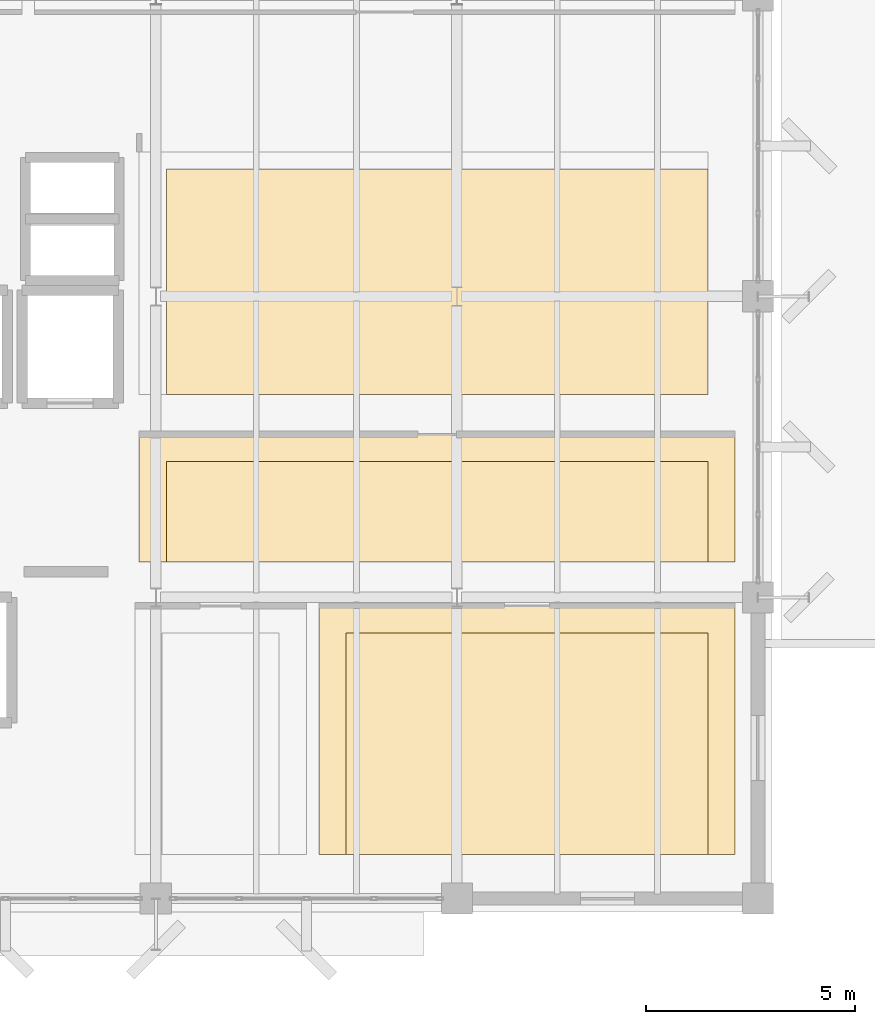
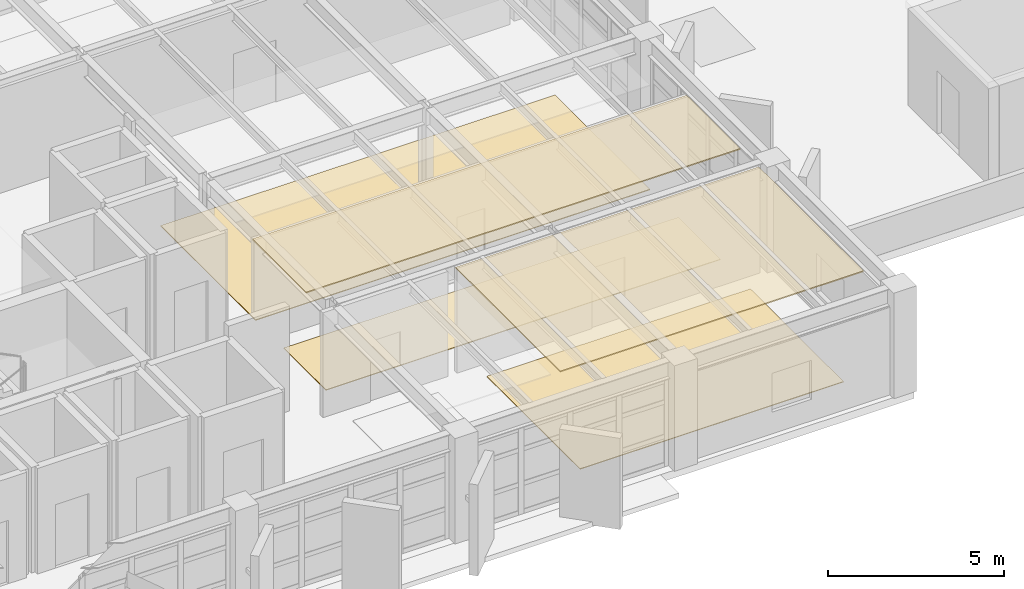
# One storey, part 30 of 32: 5 coverings.
"""IFC4 building model written with IfcOpenShell, lengths in metres."""

from ifc_helpers import new_model, si_unit, direction, frame, origin, place, context, subcontext, project, spatial, polyline, outline, extrude, material, layer, layer_set, type_object, element, save


model = new_model("IFC4")

# Units and contexts
model_context = context("Model", 3, precision=1e-05, world=origin(), true_north=direction((0.0, 1.0)))
body_context = subcontext(model_context, "Body", "Model", "MODEL_VIEW")
ifc_project = project(units=[si_unit("LENGTHUNIT", "METRE"), si_unit("AREAUNIT", "SQUARE_METRE"), si_unit("VOLUMEUNIT", "CUBIC_METRE"), si_unit("PLANEANGLEUNIT", "RADIAN"), si_unit("MASSUNIT", "GRAM", prefix="KILO")], contexts=[model_context])

# Site, building, storey
site_placement = place(None, origin())
site = spatial("IfcSite", under=ifc_project, at=site_placement, CompositionType="ELEMENT")
building_placement = place(site_placement, origin())
building = spatial("IfcBuilding", under=site, at=building_placement, Name="Kandorven Conservatory and Botanical Research Centre", CompositionType="ELEMENT")
storey_placement = place(building_placement, frame((0.0, 0.0, 17.10009765625)))
storey = spatial("IfcBuildingStorey", under=building, at=storey_placement, Name="L04", CompositionType="ELEMENT", Elevation=17.10009765625)

# Coverings
ifc_material_1 = material(Name="Perforated mineral-fibre acoustic ceiling tile", Category="gypsum")
ifc_layer_1 = layer(ifc_material_1, 0.0400390625)
ifc_layer_set_1 = layer_set([ifc_layer_1], Name="Perforated mineral-fibre acoustic ceiling tile")
covering_type_1 = type_object("IfcCoveringType", Name="Cov_Ceiling_1", PredefinedType="CEILING", material=ifc_layer_set_1)
covering_1_placement = place(storey_placement, frame((0.0, 0.0, 3.599853515625)))
element("IfcCovering", 1, at=covering_1_placement, inside=storey, type_object=covering_type_1, Name="Suspended acoustic ceiling CLG-01 (Plant Pathology Research Laboratory L04)", PredefinedType="CEILING", context=body_context, shape_type="SweptSolid", body=[
    extrude(outline(polyline([(27.199951171875, 14.050048828125), (41.449951171875, 14.050048828125), (41.449951171875, 17.10009765625), (27.199951171875, 17.10009765625), (27.199951171875, 14.050048828125)])), origin(), (0.0, 0.0, 1.0), 0.0400390625),
])
covering_2_placement = place(storey_placement, frame((0.0, 0.0, 3.599853515625)))
element("IfcCovering", 2, at=covering_2_placement, inside=storey, type_object=covering_type_1, Name="Suspended acoustic ceiling CLG-01 (Seed Biology Research Laboratory L04)", PredefinedType="CEILING", context=body_context, shape_type="SweptSolid", body=[
    extrude(outline(polyline([(31.5, 7.050048828125), (41.449951171875, 7.050048828125), (41.449951171875, 13.0), (31.5, 13.0), (31.5, 7.050048828125)])), origin(), (0.0, 0.0, 1.0), 0.0400390625),
])
ifc_material_2 = material(Name="Honed Kota stone and epoxy laboratory flooring", Category="masonry")
ifc_layer_2 = layer(ifc_material_2, 0.02490234375)
ifc_layer_set_2 = layer_set([ifc_layer_2], Name="Honed Kota stone and epoxy laboratory flooring")
covering_type_2 = type_object("IfcCoveringType", Name="Cov_Flooring_1", PredefinedType="FLOORING", material=ifc_layer_set_2)
covering_3_placement = place(storey_placement, origin())
element("IfcCovering", 3, at=covering_3_placement, inside=storey, type_object=covering_type_2, Name="Floor finish FLR-01 (Plant Pathology Research Laboratory L04)", PredefinedType="FLOORING", context=body_context, shape_type="SweptSolid", body=[
    extrude(outline(polyline([(27.85009765625, 14.050048828125), (40.800048828125, 14.050048828125), (40.800048828125, 16.449951171875), (27.85009765625, 16.449951171875), (27.85009765625, 14.050048828125)])), origin(), (0.0, 0.0, 1.0), 0.02490234375),
])
covering_4_placement = place(storey_placement, origin())
element("IfcCovering", 4, at=covering_4_placement, inside=storey, type_object=covering_type_2, Name="Floor finish FLR-01 (Seed Biology Research Laboratory L04)", PredefinedType="FLOORING", context=body_context, shape_type="SweptSolid", body=[
    extrude(outline(polyline([(32.14990234375, 7.050048828125), (40.800048828125, 7.050048828125), (40.800048828125, 12.35009765625), (32.14990234375, 12.35009765625), (32.14990234375, 7.050048828125)])), origin(), (0.0, 0.0, 1.0), 0.02490234375),
])
covering_5_placement = place(storey_placement, origin())
element("IfcCovering", 5, at=covering_5_placement, inside=storey, type_object=covering_type_2, Name="Floor finish FLR-01 (Botanical Curation Studio L04)", PredefinedType="FLOORING", context=body_context, shape_type="SweptSolid", body=[
    extrude(outline(polyline([(27.85009765625, 18.050048828125), (40.800048828125, 18.050048828125), (40.800048828125, 23.449951171875), (27.85009765625, 23.449951171875), (27.85009765625, 18.050048828125)])), origin(), (0.0, 0.0, 1.0), 0.02490234375),
])

save(model, "model.ifc")
